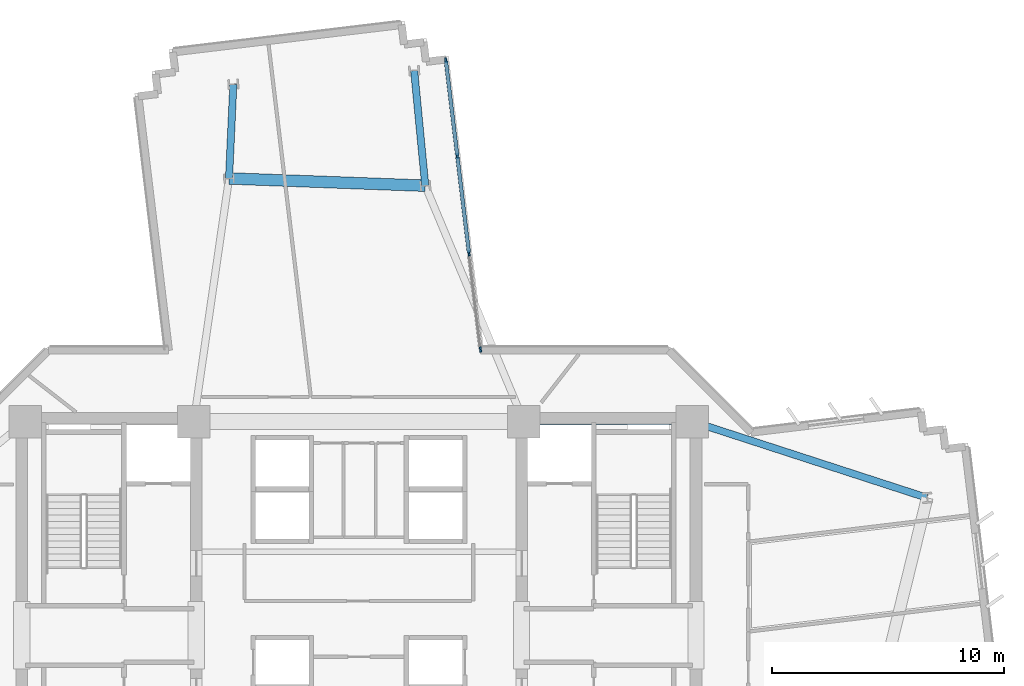
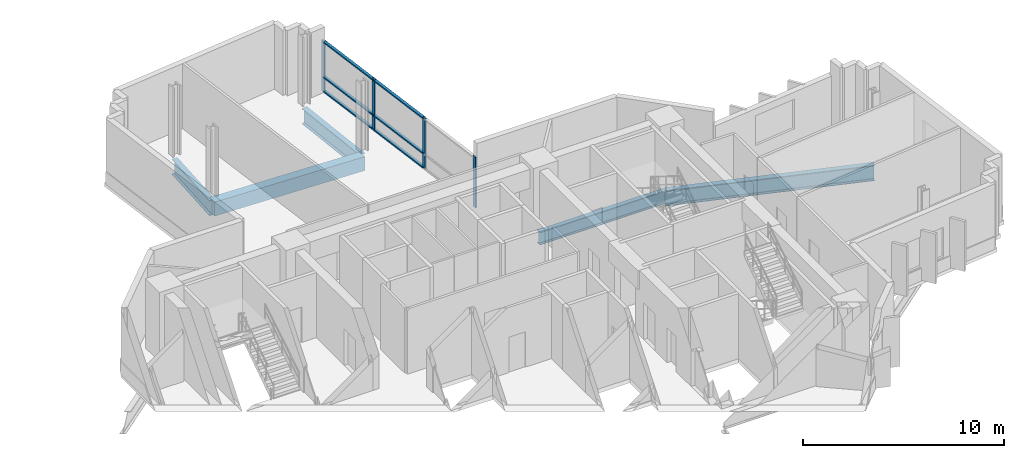
# One storey, part 4 of 15: 10 members, 5 beams, 1 element without a shape of its own.
"""IFC4 building model written with IfcOpenShell, lengths in metres."""

from ifc_helpers import new_model, si_unit, direction, frame, origin, origin_2d, place, context, subcontext, project, spatial, rectangle, i_section, extrude, source, transform, mapped, material, layer, layer_set, material_profile, profile_set, type_object, element, aggregate, save


model = new_model("IFC4")

# Units and contexts
model_context = context("Model", 3, precision=1e-05, world=origin(), true_north=direction((0.0, 1.0)))
body_context = subcontext(model_context, "Body", "Model", "MODEL_VIEW")
ifc_project = project(units=[si_unit("LENGTHUNIT", "METRE"), si_unit("AREAUNIT", "SQUARE_METRE"), si_unit("VOLUMEUNIT", "CUBIC_METRE"), si_unit("PLANEANGLEUNIT", "RADIAN"), si_unit("MASSUNIT", "GRAM", prefix="KILO")], contexts=[model_context])

# Site, building, storey
site_placement = place(None, origin())
site = spatial("IfcSite", under=ifc_project, at=site_placement, CompositionType="ELEMENT")
building_placement = place(site_placement, origin())
building = spatial("IfcBuilding", under=site, at=building_placement, Name="Zahravan Cultural Tower", CompositionType="ELEMENT")
storey_placement = place(building_placement, frame((0.0, 0.0, 113.10009765625)))
storey = spatial("IfcBuildingStorey", under=building, at=storey_placement, Name="L25", CompositionType="ELEMENT", Elevation=113.10009765625)

# Beams
ifc_material_1 = material(Name="Steel ASTM A992 Grade 50", Category="steel")
ifc_material_profile_1 = material_profile(ifc_material_1, i_section(OverallWidth=0.26611328125, OverallDepth=0.780029296875, WebThickness=0.0166015625, FlangeThickness=0.030029296875, FilletRadius=0.01904296875, at=origin_2d()), Name="W30X148")
ifc_profile_set_1 = profile_set([ifc_material_profile_1], Name="Steel ASTM A992 Grade 50")
beam_type_1 = type_object("IfcBeamType", Name="BM-G-W30X148", PredefinedType="BEAM", material=ifc_profile_set_1)
shared_shape_1 = source(origin(), body_context, "Body", "SweptSolid", [
    extrude(i_section(OverallWidth=0.26611328125, OverallDepth=0.780029296875, WebThickness=0.0166015625, FlangeThickness=0.030029296875, FilletRadius=0.01904296875, at=origin_2d()), origin(), (0.0, 0.0, 1.0), 7.25),
])
beam_1_placement = place(storey_placement, frame((43.10009765625, 36.199951171875, -0.64013671875), z_axis=(1.0, 0.0, 0.0), x_axis=(0.0, 1.0, 0.0)))
element("IfcBeam", 1, at=beam_1_placement, inside=storey, type_object=beam_type_1, Name="L25 Beam BG-L25-05", PredefinedType="BEAM", context=body_context, shape_type="MappedRepresentation", body=[
    mapped(shared_shape_1, transform((0.0, 0.0, 0.0), x_axis=(1.0, 0.0, 0.0), y_axis=(0.0, 1.0, 0.0), z_axis=(0.0, 0.0, 1.0), scale=1.0)),
])
ifc_material_profile_2 = material_profile(ifc_material_1, i_section(OverallWidth=0.30908203125, OverallDepth=0.931884765625, WebThickness=0.02099609375, FlangeThickness=0.034423828125, FilletRadius=0.02392578125, at=origin_2d()), Name="W36X210")
ifc_profile_set_2 = profile_set([ifc_material_profile_2], Name="Steel ASTM A992 Grade 50")
beam_type_2 = type_object("IfcBeamType", Name="BM-G-W36X210", PredefinedType="BEAM", material=ifc_profile_set_2)
shared_shape_2 = source(origin(), body_context, "Body", "SweptSolid", [
    extrude(i_section(OverallWidth=0.30908203125, OverallDepth=0.931884765625, WebThickness=0.02099609375, FlangeThickness=0.034423828125, FilletRadius=0.02392578125, at=origin_2d()), origin(), (0.0, 0.0, 1.0), 10.615966796875),
])
beam_2_placement = place(storey_placement, frame((50.35009765625, 36.199951171875, -0.716064453125), z_axis=(0.951063640083, -0.30899506875, 0.0), x_axis=(0.30899506875, 0.951063640083, 0.0)))
element("IfcBeam", 2, at=beam_2_placement, inside=storey, type_object=beam_type_2, Name="L25 Beam BG-L25-11", PredefinedType="BEAM", context=body_context, shape_type="MappedRepresentation", body=[
    mapped(shared_shape_2, transform((0.0, 0.0, 0.0), x_axis=(1.0, 0.0, 0.0), y_axis=(0.0, 1.0, 0.0), z_axis=(0.0, 0.0, 1.0), scale=1.0)),
])
shared_shape_3 = source(origin(), body_context, "Body", "SweptSolid", [
    extrude(i_section(OverallWidth=0.30908203125, OverallDepth=0.931884765625, WebThickness=0.02099609375, FlangeThickness=0.034423828125, FilletRadius=0.02392578125, at=origin_2d()), origin(), (0.0, 0.0, 1.0), 4.973876953125),
])
beam_3_placement = place(storey_placement, frame((38.857421875, 46.346435546875, -0.716064453125), z_axis=(-0.096154779131, 0.995366394073, 0.0), x_axis=(-0.995366394073, -0.096154779131, 0.0)))
element("IfcBeam", 3, at=beam_3_placement, inside=storey, type_object=beam_type_2, Name="L25 Beam BG-L25-15", PredefinedType="BEAM", context=body_context, shape_type="MappedRepresentation", body=[
    mapped(shared_shape_3, transform((0.0, 0.0, 0.0), x_axis=(1.0, 0.0, 0.0), y_axis=(0.0, 1.0, 0.0), z_axis=(0.0, 0.0, 1.0), scale=1.0)),
])
shared_shape_4 = source(origin(), body_context, "Body", "SweptSolid", [
    extrude(i_section(OverallWidth=0.30908203125, OverallDepth=0.931884765625, WebThickness=0.02099609375, FlangeThickness=0.034423828125, FilletRadius=0.02392578125, at=origin_2d()), origin(), (0.0, 0.0, 1.0), 4.0537109375),
])
beam_4_placement = place(storey_placement, frame((30.4150390625, 46.658203125, -0.716064453125), z_axis=(0.045770994677, 0.998951958828, 0.0), x_axis=(-0.998951958828, 0.045770994677, 0.0)))
element("IfcBeam", 4, at=beam_4_placement, inside=storey, type_object=beam_type_2, Name="L25 Beam BG-L25-16", PredefinedType="BEAM", context=body_context, shape_type="MappedRepresentation", body=[
    mapped(shared_shape_4, transform((0.0, 0.0, 0.0), x_axis=(1.0, 0.0, 0.0), y_axis=(0.0, 1.0, 0.0), z_axis=(0.0, 0.0, 1.0), scale=1.0)),
])
ifc_material_2 = material(Name="Concrete C50/60", Category="concrete")
ifc_material_profile_3 = material_profile(ifc_material_2, rectangle(XDim=0.5, YDim=0.85009765625, at=origin_2d()), Name="RC500X850")
ifc_profile_set_3 = profile_set([ifc_material_profile_3], Name="Concrete C50/60")
beam_type_3 = type_object("IfcBeamType", Name="BM-SP-RC500X850", PredefinedType="SPANDREL", material=ifc_profile_set_3)
shared_shape_5 = source(origin(), body_context, "Body", "SweptSolid", [
    extrude(rectangle(XDim=0.5, YDim=0.85009765625, at=origin_2d()), origin(), (0.0, 0.0, 1.0), 8.4482421875),
])
beam_5_placement = place(storey_placement, frame((38.857421875, 46.346435546875, -0.675048828125), z_axis=(-0.999318826256, 0.036903705643, 0.0), x_axis=(-0.036903705643, -0.999318826256, 0.0)))
element("IfcBeam", 5, at=beam_5_placement, inside=storey, type_object=beam_type_3, Name="L25 Beam SP-L25-21", PredefinedType="SPANDREL", context=body_context, shape_type="MappedRepresentation", body=[
    mapped(shared_shape_5, transform((0.0, 0.0, 0.0), x_axis=(1.0, 0.0, 0.0), y_axis=(0.0, 1.0, 0.0), z_axis=(0.0, 0.0, 1.0), scale=1.0)),
])

# Curtain wall, members
ifc_material_3 = material(Name="Anodised bronze-aluminium mullion", Category="aluminium")
ifc_layer = layer(ifc_material_3, 0.219970703125)
ifc_layer_set = layer_set([ifc_layer], Name="Anodised bronze-aluminium mullion")
curtain_wall_type = type_object("IfcCurtainWallType", Name="CW-SYS-1", PredefinedType="USERDEFINED", material=ifc_layer_set)
curtain_wall_placement = place(storey_placement, origin())
curtain_wall = element("IfcCurtainWall", 6, at=curtain_wall_placement, inside=storey, type_object=curtain_wall_type, Name="L25 Recessed Curtain Wall CW-1.2", ObjectType="RECESSED GLAZING", PredefinedType="USERDEFINED")
ifc_material_profile_4 = material_profile(ifc_material_3, rectangle(XDim=0.080078125, YDim=0.219970703125, at=origin_2d()), Name="AL-M80X220")
ifc_profile_set_4 = profile_set([ifc_material_profile_4], Name="Anodised bronze-aluminium mullion")
member_type_1 = type_object("IfcMemberType", Name="CWM-CW-1", PredefinedType="MULLION", material=ifc_profile_set_4)
shared_shape_6 = source(origin(), body_context, "Body", "SweptSolid", [
    extrude(rectangle(XDim=0.080078125, YDim=0.219970703125, at=origin_2d()), origin(), (0.0, 0.0, 1.0), 3.06982421875),
])
member_1_placement = place(storey_placement, frame((39.739990234375, 51.741455078125, 0.0), z_axis=(0.0, 0.0, 1.0), x_axis=(0.992882878226, 0.11909487867, 0.0)))
member_1 = element("IfcMember", 7, at=member_1_placement, type_object=member_type_1, Name="CW-1 mullion 1", PredefinedType="MULLION", context=body_context, shape_type="MappedRepresentation", body=[
    mapped(shared_shape_6, transform((0.0, 0.0, 0.0), x_axis=(1.0, 0.0, 0.0), y_axis=(0.0, 1.0, 0.0), z_axis=(0.0, 0.0, 1.0), scale=1.0)),
])
member_2_placement = place(storey_placement, frame((40.23583984375, 47.607421875, 0.0), z_axis=(0.0, 0.0, 1.0), x_axis=(0.992882878226, 0.11909487867, 0.0)))
member_2 = element("IfcMember", 8, at=member_2_placement, type_object=member_type_1, Name="CW-1 mullion 2", PredefinedType="MULLION", context=body_context, shape_type="MappedRepresentation", body=[
    mapped(shared_shape_6, transform((0.0, 0.0, 0.0), x_axis=(1.0, 0.0, 0.0), y_axis=(0.0, 1.0, 0.0), z_axis=(0.0, 0.0, 1.0), scale=1.0)),
])
member_3_placement = place(storey_placement, frame((40.736572265625, 43.433837890625, 0.0), z_axis=(0.0, 0.0, 1.0), x_axis=(0.992882878226, 0.11909487867, 0.0)))
member_3 = element("IfcMember", 9, at=member_3_placement, type_object=member_type_1, Name="CW-1 mullion 3", PredefinedType="MULLION", context=body_context, shape_type="MappedRepresentation", body=[
    mapped(shared_shape_6, transform((0.0, 0.0, 0.0), x_axis=(1.0, 0.0, 0.0), y_axis=(0.0, 1.0, 0.0), z_axis=(0.0, 0.0, 1.0), scale=1.0)),
])
member_4_placement = place(storey_placement, frame((41.232421875, 39.2998046875, 0.0), z_axis=(0.0, 0.0, 1.0), x_axis=(0.992882878226, 0.11909487867, 0.0)))
member_4 = element("IfcMember", 10, at=member_4_placement, type_object=member_type_1, Name="CW-1 mullion 4", PredefinedType="MULLION", context=body_context, shape_type="MappedRepresentation", body=[
    mapped(shared_shape_6, transform((0.0, 0.0, 0.0), x_axis=(1.0, 0.0, 0.0), y_axis=(0.0, 1.0, 0.0), z_axis=(0.0, 0.0, 1.0), scale=1.0)),
])
ifc_material_profile_5 = material_profile(ifc_material_3, rectangle(XDim=0.159912109375, YDim=0.080078125, at=origin_2d()), Name="AL-T80X160")
ifc_profile_set_5 = profile_set([ifc_material_profile_5], Name="Anodised bronze-aluminium mullion")
member_type_2 = type_object("IfcMemberType", Name="CWT-CW-1", PredefinedType="USERDEFINED", material=ifc_profile_set_5)
shared_shape_7 = source(origin(), body_context, "Body", "SweptSolid", [
    extrude(rectangle(XDim=0.159912109375, YDim=0.080078125, at=origin_2d()), origin(), (0.0, 0.0, 1.0), 4.08349609375),
])
member_5_placement = place(storey_placement, frame((39.74462890625, 51.70166015625, 0.039794921875), z_axis=(0.119095712304, -0.992882778233, 0.0), x_axis=(0.992882778233, 0.119095712304, 0.0)))
member_5 = element("IfcMember", 11, at=member_5_placement, type_object=member_type_2, Name="CW-1 transom 1.1", ObjectType="TRANSOM", PredefinedType="USERDEFINED", context=body_context, shape_type="MappedRepresentation", body=[
    mapped(shared_shape_7, transform((0.0, 0.0, 0.0), x_axis=(1.0, 0.0, 0.0), y_axis=(0.0, 1.0, 0.0), z_axis=(0.0, 0.0, 1.0), scale=1.0)),
])
member_6_placement = place(storey_placement, frame((39.74462890625, 51.70166015625, 0.89990234375), z_axis=(0.119095712304, -0.992882778233, 0.0), x_axis=(0.992882778233, 0.119095712304, 0.0)))
member_6 = element("IfcMember", 12, at=member_6_placement, type_object=member_type_2, Name="CW-1 transom 1.2", ObjectType="TRANSOM", PredefinedType="USERDEFINED", context=body_context, shape_type="MappedRepresentation", body=[
    mapped(shared_shape_7, transform((0.0, 0.0, 0.0), x_axis=(1.0, 0.0, 0.0), y_axis=(0.0, 1.0, 0.0), z_axis=(0.0, 0.0, 1.0), scale=1.0)),
])
member_7_placement = place(storey_placement, frame((39.74462890625, 51.70166015625, 3.02978515625), z_axis=(0.119095712304, -0.992882778233, 0.0), x_axis=(0.992882778233, 0.119095712304, 0.0)))
member_7 = element("IfcMember", 13, at=member_7_placement, type_object=member_type_2, Name="CW-1 transom 1.3", ObjectType="TRANSOM", PredefinedType="USERDEFINED", context=body_context, shape_type="MappedRepresentation", body=[
    mapped(shared_shape_7, transform((0.0, 0.0, 0.0), x_axis=(1.0, 0.0, 0.0), y_axis=(0.0, 1.0, 0.0), z_axis=(0.0, 0.0, 1.0), scale=1.0)),
])
shared_shape_8 = source(origin(), body_context, "Body", "SweptSolid", [
    extrude(rectangle(XDim=0.159912109375, YDim=0.080078125, at=origin_2d()), origin(), (0.0, 0.0, 1.0), 4.123779296875),
])
member_8_placement = place(storey_placement, frame((40.240478515625, 47.56787109375, 0.039794921875), z_axis=(0.11911487242, -0.9928804798, 0.0), x_axis=(0.9928804798, 0.11911487242, 0.0)))
member_8 = element("IfcMember", 14, at=member_8_placement, type_object=member_type_2, Name="CW-1 transom 2.1", ObjectType="TRANSOM", PredefinedType="USERDEFINED", context=body_context, shape_type="MappedRepresentation", body=[
    mapped(shared_shape_8, transform((0.0, 0.0, 0.0), x_axis=(1.0, 0.0, 0.0), y_axis=(0.0, 1.0, 0.0), z_axis=(0.0, 0.0, 1.0), scale=1.0)),
])
member_9_placement = place(storey_placement, frame((40.240478515625, 47.56787109375, 0.89990234375), z_axis=(0.11911487242, -0.9928804798, 0.0), x_axis=(0.9928804798, 0.11911487242, 0.0)))
member_9 = element("IfcMember", 15, at=member_9_placement, type_object=member_type_2, Name="CW-1 transom 2.2", ObjectType="TRANSOM", PredefinedType="USERDEFINED", context=body_context, shape_type="MappedRepresentation", body=[
    mapped(shared_shape_8, transform((0.0, 0.0, 0.0), x_axis=(1.0, 0.0, 0.0), y_axis=(0.0, 1.0, 0.0), z_axis=(0.0, 0.0, 1.0), scale=1.0)),
])
member_10_placement = place(storey_placement, frame((40.240478515625, 47.56787109375, 3.02978515625), z_axis=(0.11911487242, -0.9928804798, 0.0), x_axis=(0.9928804798, 0.11911487242, 0.0)))
member_10 = element("IfcMember", 16, at=member_10_placement, type_object=member_type_2, Name="CW-1 transom 2.3", ObjectType="TRANSOM", PredefinedType="USERDEFINED", context=body_context, shape_type="MappedRepresentation", body=[
    mapped(shared_shape_8, transform((0.0, 0.0, 0.0), x_axis=(1.0, 0.0, 0.0), y_axis=(0.0, 1.0, 0.0), z_axis=(0.0, 0.0, 1.0), scale=1.0)),
])
aggregate(curtain_wall, [member_1, member_2, member_3, member_4, member_5, member_6, member_7, member_8, member_9, member_10])

save(model, "model.ifc")
